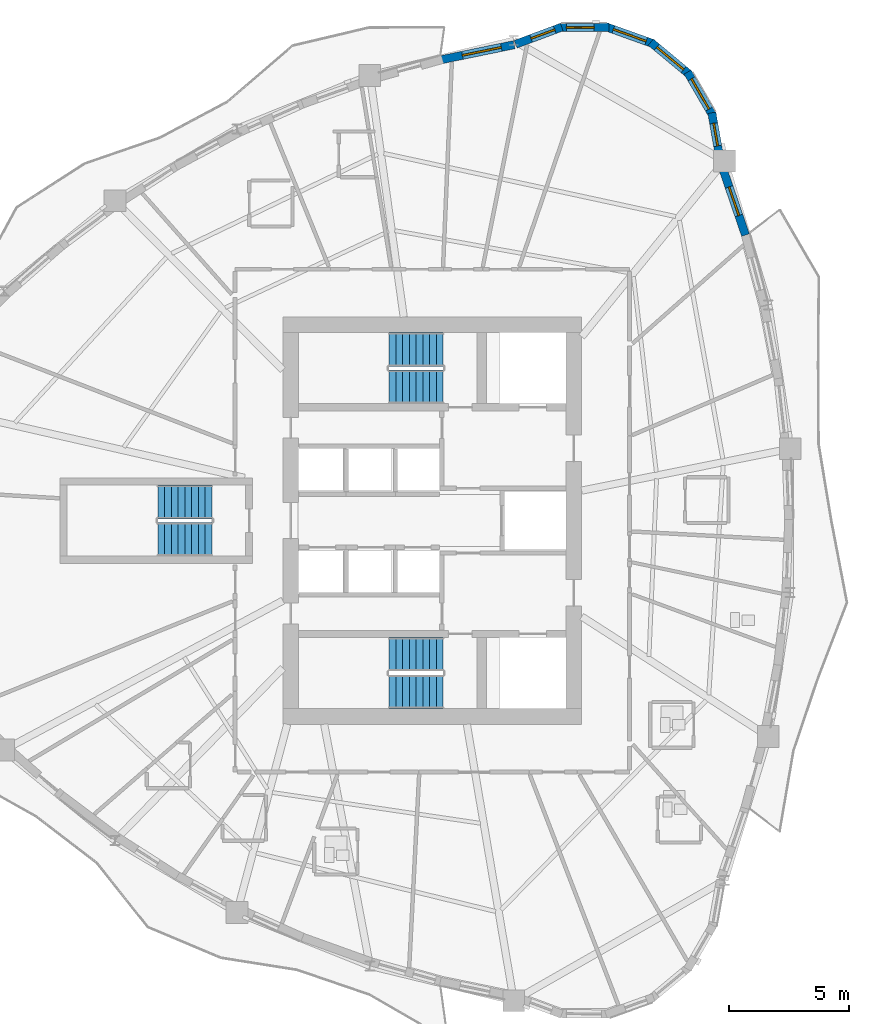
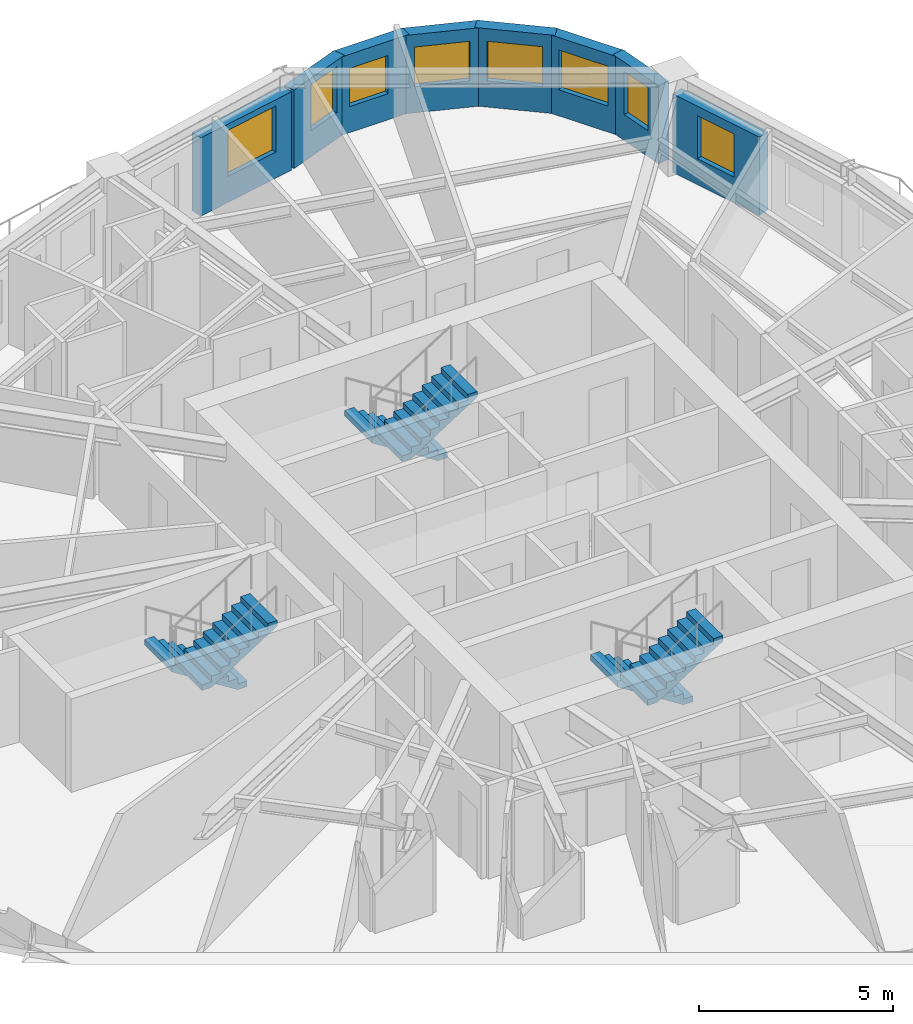
# One storey, part 9 of 13: 8 walls, 8 windows, 6 stair flights, 8 openings, 3 elements without a shape of their own.
"""IFC4 building model written with IfcOpenShell, lengths in metres."""

from ifc_helpers import new_model, si_unit, direction, frame, frame_2d, origin, place, context, subcontext, project, spatial, polyline, rectangle, outline, extrude, source, transform, mapped, material, layer, layer_set, type_object, element, fill, aggregate, save


model = new_model("IFC4")

# Units and contexts
model_context = context("Model", 3, precision=1e-05, world=origin(), true_north=direction((0.0, 1.0)))
body_context = subcontext(model_context, "Body", "Model", "MODEL_VIEW")
ifc_project = project(units=[si_unit("LENGTHUNIT", "METRE"), si_unit("AREAUNIT", "SQUARE_METRE"), si_unit("VOLUMEUNIT", "CUBIC_METRE"), si_unit("PLANEANGLEUNIT", "RADIAN"), si_unit("MASSUNIT", "GRAM", prefix="KILO")], contexts=[model_context])

# Site, building, storey
site_placement = place(None, origin())
site = spatial("IfcSite", under=ifc_project, at=site_placement, CompositionType="ELEMENT")
building_placement = place(site_placement, origin())
building = spatial("IfcBuilding", under=site, at=building_placement, Name="Qafzar Sky-Pleat Residences", CompositionType="ELEMENT")
storey_placement = place(building_placement, frame((0.0, 0.0, 105.60009765625)))
storey = spatial("IfcBuildingStorey", under=building, at=storey_placement, Name="L31", CompositionType="ELEMENT", Elevation=105.60009765625)

# Wall, opening, window
ifc_material_1 = material(Name="Precast concrete C40/50 with honed Riyadh limestone", Category="concrete")
ifc_layer = layer(ifc_material_1, 0.340087890625)
ifc_layer_set = layer_set([ifc_layer], Name="Precast concrete C40/50 with honed Riyadh limestone")
wall_type = type_object("IfcWallType", Name="WALL-EXT-340", PredefinedType="SOLIDWALL", material=ifc_layer_set)
wall_1_placement = place(storey_placement, frame((43.349609375, 37.84765625, 0.0), z_axis=(0.0, 0.0, 1.0), x_axis=(-0.323561473353, 0.946207151189, 0.0)))
wall_1 = element("IfcWall", 1, at=wall_1_placement, inside=storey, type_object=wall_type, Name="L31 Limestone Facade Wall 32", PredefinedType="SOLIDWALL", context=body_context, shape_type="SweptSolid", body=[
    extrude(rectangle(XDim=2.96240234375, YDim=0.340087890625, at=frame_2d((1.481201171875, 0.0))), origin(), (0.0, 0.0, 1.0), 2.46484375),
])
opening_1_placement = place(wall_1_placement, frame((0.861083984375, 0.0, 0.820068359375)))
opening_1 = element("IfcOpeningElement", 2, at=opening_1_placement, cuts=wall_1, Name="Opening WN-11", PredefinedType="OPENING", context=body_context, shape_type="SweptSolid", body=[
    extrude(rectangle(XDim=1.25, YDim=1.35009765625, at=frame_2d((0.625, 0.675048828125))), frame((0.0, 0.18017578125, 0.0), z_axis=(0.0, -1.0, 0.0), x_axis=(1.0, 0.0, 0.0)), (0.0, 0.0, 1.0), 0.360107421875),
])
ifc_material_2 = material(Name="Solar-control low-E glass in bronze aluminium frame", Category="glass")
window_type_1 = type_object("IfcWindowType", Name="WIN-11", PartitioningType="SINGLE_PANEL", PredefinedType="WINDOW", material=ifc_material_2)
shared_shape_1 = source(origin(), body_context, "Body", "SweptSolid", [
    extrude(rectangle(XDim=1.25, YDim=1.35009765625, at=frame_2d((0.625, 0.675048828125))), frame((0.0, 0.030029296875, 0.0), z_axis=(0.0, -1.0, 0.0), x_axis=(1.0, 0.0, 0.0)), (0.0, 0.0, 1.0), 0.06005859375),
])
window_1_placement = place(opening_1_placement, origin())
window_1 = element("IfcWindow", 3, at=window_1_placement, inside=storey, type_object=window_type_1, Name="L31 Punched Facade Window 32", OverallHeight=1.35009765625, OverallWidth=1.25, PartitioningType="SINGLE_PANEL", PredefinedType="WINDOW", context=body_context, shape_type="MappedRepresentation", body=[
    mapped(shared_shape_1, transform((0.0, 0.0, 0.0), x_axis=(1.0, 0.0, 0.0), y_axis=(0.0, 1.0, 0.0), z_axis=(0.0, 0.0, 1.0), scale=1.0)),
])
fill(opening_1, window_1)

wall_2_placement = place(storey_placement, frame((42.27001953125, 41.1201171875, 0.0), z_axis=(0.0, 0.0, 1.0), x_axis=(-0.17440141227, 0.984674640375, 0.0)))
wall_2 = element("IfcWall", 4, at=wall_2_placement, inside=storey, type_object=wall_type, Name="L31 Limestone Facade Wall 33", PredefinedType="SOLIDWALL", context=body_context, shape_type="SweptSolid", body=[
    extrude(rectangle(XDim=1.8310546875, YDim=0.340087890625, at=frame_2d((0.91552734375, 0.0))), origin(), (0.0, 0.0, 1.0), 2.46484375),
])
opening_2_placement = place(wall_2_placement, frame((0.435546875, 0.0, 0.820068359375)))
opening_2 = element("IfcOpeningElement", 5, at=opening_2_placement, cuts=wall_2, Name="Opening WN-12", PredefinedType="OPENING", context=body_context, shape_type="SweptSolid", body=[
    extrude(rectangle(XDim=0.949951171875, YDim=1.35009765625, at=frame_2d((0.47509765625, 0.675048828125))), frame((0.0, 0.18017578125, 0.0), z_axis=(0.0, -1.0, 0.0), x_axis=(1.0, 0.0, 0.0)), (0.0, 0.0, 1.0), 0.360107421875),
])
window_type_2 = type_object("IfcWindowType", Name="WIN-12", PartitioningType="SINGLE_PANEL", PredefinedType="WINDOW", material=ifc_material_2)
shared_shape_2 = source(origin(), body_context, "Body", "SweptSolid", [
    extrude(rectangle(XDim=0.949951171875, YDim=1.35009765625, at=frame_2d((0.47509765625, 0.675048828125))), frame((0.0, 0.030029296875, 0.0), z_axis=(0.0, -1.0, 0.0), x_axis=(1.0, 0.0, 0.0)), (0.0, 0.0, 1.0), 0.06005859375),
])
window_2_placement = place(opening_2_placement, origin())
window_2 = element("IfcWindow", 6, at=window_2_placement, inside=storey, type_object=window_type_2, Name="L31 Punched Facade Window 33", OverallHeight=1.35009765625, OverallWidth=0.949951171875, PartitioningType="SINGLE_PANEL", PredefinedType="WINDOW", context=body_context, shape_type="MappedRepresentation", body=[
    mapped(shared_shape_2, transform((0.0, 0.0, 0.0), x_axis=(1.0, 0.0, 0.0), y_axis=(0.0, 1.0, 0.0), z_axis=(0.0, 0.0, 1.0), scale=1.0)),
])
fill(opening_2, window_2)

wall_3_placement = place(storey_placement, frame((41.99658203125, 42.797119140625, 0.0), z_axis=(0.0, 0.0, 1.0), x_axis=(-0.501902596059, 0.864924149315, 0.0)))
wall_3 = element("IfcWall", 7, at=wall_3_placement, inside=storey, type_object=wall_type, Name="L31 Limestone Facade Wall 34", PredefinedType="SOLIDWALL", context=body_context, shape_type="SweptSolid", body=[
    extrude(rectangle(XDim=2.098876953125, YDim=0.340087890625, at=frame_2d((1.04931640625, 0.0))), origin(), (0.0, 0.0, 1.0), 2.46484375),
])
opening_3_placement = place(wall_3_placement, frame((0.324462890625, 0.0, 0.820068359375)))
opening_3 = element("IfcOpeningElement", 8, at=opening_3_placement, cuts=wall_3, Name="Opening WN-15", PredefinedType="OPENING", context=body_context, shape_type="SweptSolid", body=[
    extrude(rectangle(XDim=1.449951171875, YDim=1.25, at=frame_2d((0.72509765625, 0.625))), frame((0.0, 0.18017578125, 0.0), z_axis=(0.0, -1.0, 0.0), x_axis=(1.0, 0.0, 0.0)), (0.0, 0.0, 1.0), 0.360107421875),
])
window_type_3 = type_object("IfcWindowType", Name="WIN-15", PartitioningType="SINGLE_PANEL", PredefinedType="WINDOW", material=ifc_material_2)
shared_shape_3 = source(origin(), body_context, "Body", "SweptSolid", [
    extrude(rectangle(XDim=1.449951171875, YDim=1.25, at=frame_2d((0.72509765625, 0.625))), frame((0.0, 0.030029296875, 0.0), z_axis=(0.0, -1.0, 0.0), x_axis=(1.0, 0.0, 0.0)), (0.0, 0.0, 1.0), 0.06005859375),
])
window_3_placement = place(opening_3_placement, origin())
window_3 = element("IfcWindow", 9, at=window_3_placement, inside=storey, type_object=window_type_3, Name="L31 Punched Facade Window 34", OverallHeight=1.25, OverallWidth=1.449951171875, PartitioningType="SINGLE_PANEL", PredefinedType="WINDOW", context=body_context, shape_type="MappedRepresentation", body=[
    mapped(shared_shape_3, transform((0.0, 0.0, 0.0), x_axis=(1.0, 0.0, 0.0), y_axis=(0.0, 1.0, 0.0), z_axis=(0.0, 0.0, 1.0), scale=1.0)),
])
fill(opening_3, window_3)

wall_4_placement = place(storey_placement, frame((41.029541015625, 44.510009765625, 0.0), z_axis=(0.0, 0.0, 1.0), x_axis=(-0.768497696041, 0.639852554249, 0.0)))
wall_4 = element("IfcWall", 10, at=wall_4_placement, inside=storey, type_object=wall_type, Name="L31 Limestone Facade Wall 35", PredefinedType="SOLIDWALL", context=body_context, shape_type="SweptSolid", body=[
    extrude(rectangle(XDim=2.098876953125, YDim=0.340087890625, at=frame_2d((1.04931640625, 0.0))), origin(), (0.0, 0.0, 1.0), 2.46484375),
])
opening_4_placement = place(wall_4_placement, frame((0.324462890625, 0.0, 0.820068359375)))
opening_4 = element("IfcOpeningElement", 11, at=opening_4_placement, cuts=wall_4, Name="Opening WN-15", PredefinedType="OPENING", context=body_context, shape_type="SweptSolid", body=[
    extrude(rectangle(XDim=1.449951171875, YDim=1.25, at=frame_2d((0.72509765625, 0.625))), frame((0.0, 0.18017578125, 0.0), z_axis=(0.0, -1.0, 0.0), x_axis=(1.0, 0.0, 0.0)), (0.0, 0.0, 1.0), 0.360107421875),
])
window_4_placement = place(opening_4_placement, origin())
window_4 = element("IfcWindow", 12, at=window_4_placement, inside=storey, type_object=window_type_3, Name="L31 Punched Facade Window 35", OverallHeight=1.25, OverallWidth=1.449951171875, PartitioningType="SINGLE_PANEL", PredefinedType="WINDOW", context=body_context, shape_type="MappedRepresentation", body=[
    mapped(shared_shape_3, transform((0.0, 0.0, 0.0), x_axis=(1.0, 0.0, 0.0), y_axis=(0.0, 1.0, 0.0), z_axis=(0.0, 0.0, 1.0), scale=1.0)),
])
fill(opening_4, window_4)

wall_5_placement = place(storey_placement, frame((39.533203125, 45.78662109375, 0.0), z_axis=(0.0, 0.0, 1.0), x_axis=(-0.941523304278, 0.336947870598, 0.0)))
wall_5 = element("IfcWall", 13, at=wall_5_placement, inside=storey, type_object=wall_type, Name="L31 Limestone Facade Wall 36", PredefinedType="SOLIDWALL", context=body_context, shape_type="SweptSolid", body=[
    extrude(rectangle(XDim=2.09912109375, YDim=0.340087890625, at=frame_2d((1.049560546875, 0.0))), origin(), (0.0, 0.0, 1.0), 2.46484375),
])
opening_5_placement = place(wall_5_placement, frame((0.324462890625, 0.0, 0.820068359375)))
opening_5 = element("IfcOpeningElement", 14, at=opening_5_placement, cuts=wall_5, Name="Opening WN-15", PredefinedType="OPENING", context=body_context, shape_type="SweptSolid", body=[
    extrude(rectangle(XDim=1.449951171875, YDim=1.25, at=frame_2d((0.72509765625, 0.625))), frame((0.0, 0.18017578125, 0.0), z_axis=(0.0, -1.0, 0.0), x_axis=(1.0, 0.0, 0.0)), (0.0, 0.0, 1.0), 0.360107421875),
])
window_5_placement = place(opening_5_placement, origin())
window_5 = element("IfcWindow", 15, at=window_5_placement, inside=storey, type_object=window_type_3, Name="L31 Punched Facade Window 36", OverallHeight=1.25, OverallWidth=1.449951171875, PartitioningType="SINGLE_PANEL", PredefinedType="WINDOW", context=body_context, shape_type="MappedRepresentation", body=[
    mapped(shared_shape_3, transform((0.0, 0.0, 0.0), x_axis=(1.0, 0.0, 0.0), y_axis=(0.0, 1.0, 0.0), z_axis=(0.0, 0.0, 1.0), scale=1.0)),
])
fill(opening_5, window_5)

wall_6_placement = place(storey_placement, frame((37.689208984375, 46.471435546875, 0.0), z_axis=(0.0, 0.0, 1.0), x_axis=(-0.999976456891, -0.00686189939, 0.0)))
wall_6 = element("IfcWall", 16, at=wall_6_placement, inside=storey, type_object=wall_type, Name="L31 Limestone Facade Wall 37", PredefinedType="SOLIDWALL", context=body_context, shape_type="SweptSolid", body=[
    extrude(rectangle(XDim=2.09912109375, YDim=0.340087890625, at=frame_2d((1.049560546875, 0.0))), origin(), (0.0, 0.0, 1.0), 2.46484375),
])
opening_6_placement = place(wall_6_placement, frame((0.626708984375, 0.0, 0.820068359375)))
opening_6 = element("IfcOpeningElement", 17, at=opening_6_placement, cuts=wall_6, Name="Opening WN-16", PredefinedType="OPENING", context=body_context, shape_type="SweptSolid", body=[
    extrude(rectangle(XDim=1.14990234375, YDim=1.199951171875, at=frame_2d((0.574951171875, 0.60009765625))), frame((0.0, 0.18017578125, 0.0), z_axis=(0.0, -1.0, 0.0), x_axis=(1.0, 0.0, 0.0)), (0.0, 0.0, 1.0), 0.360107421875),
])
window_type_4 = type_object("IfcWindowType", Name="WIN-16", PartitioningType="SINGLE_PANEL", PredefinedType="WINDOW", material=ifc_material_2)
shared_shape_4 = source(origin(), body_context, "Body", "SweptSolid", [
    extrude(rectangle(XDim=1.14990234375, YDim=1.199951171875, at=frame_2d((0.574951171875, 0.60009765625))), frame((0.0, 0.030029296875, 0.0), z_axis=(0.0, -1.0, 0.0), x_axis=(1.0, 0.0, 0.0)), (0.0, 0.0, 1.0), 0.06005859375),
])
window_6_placement = place(opening_6_placement, origin())
window_6 = element("IfcWindow", 18, at=window_6_placement, inside=storey, type_object=window_type_4, Name="L31 Punched Facade Window 37", OverallHeight=1.199951171875, OverallWidth=1.14990234375, PartitioningType="SINGLE_PANEL", PredefinedType="WINDOW", context=body_context, shape_type="MappedRepresentation", body=[
    mapped(shared_shape_4, transform((0.0, 0.0, 0.0), x_axis=(1.0, 0.0, 0.0), y_axis=(0.0, 1.0, 0.0), z_axis=(0.0, 0.0, 1.0), scale=1.0)),
])
fill(opening_6, window_6)

wall_7_placement = place(storey_placement, frame((35.72216796875, 46.4814453125, 0.0), z_axis=(0.0, 0.0, 1.0), x_axis=(-0.9368002254, -0.349864741994, 0.0)))
wall_7 = element("IfcWall", 19, at=wall_7_placement, inside=storey, type_object=wall_type, Name="L31 Limestone Facade Wall 38", PredefinedType="SOLIDWALL", context=body_context, shape_type="SweptSolid", body=[
    extrude(rectangle(XDim=2.041015625, YDim=0.340087890625, at=frame_2d((1.0205078125, 0.0))), origin(), (0.0, 0.0, 1.0), 2.46484375),
])
opening_7_placement = place(wall_7_placement, frame((0.30908203125, 0.0, 0.820068359375)))
opening_7 = element("IfcOpeningElement", 20, at=opening_7_placement, cuts=wall_7, Name="Opening WN-06", PredefinedType="OPENING", context=body_context, shape_type="SweptSolid", body=[
    extrude(rectangle(XDim=1.050048828125, YDim=1.449951171875, at=frame_2d((0.52490234375, 0.72509765625))), frame((0.0, 0.18017578125, 0.0), z_axis=(0.0, -1.0, 0.0), x_axis=(1.0, 0.0, 0.0)), (0.0, 0.0, 1.0), 0.360107421875),
])
window_type_5 = type_object("IfcWindowType", Name="WIN-06", PartitioningType="SINGLE_PANEL", PredefinedType="WINDOW", material=ifc_material_2)
shared_shape_5 = source(origin(), body_context, "Body", "SweptSolid", [
    extrude(rectangle(XDim=1.050048828125, YDim=1.449951171875, at=frame_2d((0.52490234375, 0.72509765625))), frame((0.0, 0.030029296875, 0.0), z_axis=(0.0, -1.0, 0.0), x_axis=(1.0, 0.0, 0.0)), (0.0, 0.0, 1.0), 0.06005859375),
])
window_7_placement = place(opening_7_placement, origin())
window_7 = element("IfcWindow", 21, at=window_7_placement, inside=storey, type_object=window_type_5, Name="L31 Punched Facade Window 38", OverallHeight=1.449951171875, OverallWidth=1.050048828125, PartitioningType="SINGLE_PANEL", PredefinedType="WINDOW", context=body_context, shape_type="MappedRepresentation", body=[
    mapped(shared_shape_5, transform((0.0, 0.0, 0.0), x_axis=(1.0, 0.0, 0.0), y_axis=(0.0, 1.0, 0.0), z_axis=(0.0, 0.0, 1.0), scale=1.0)),
])
fill(opening_7, window_7)

wall_8_placement = place(storey_placement, frame((33.74658203125, 45.7490234375, 0.0), z_axis=(0.0, 0.0, 1.0), x_axis=(-0.979440240026, -0.201734519153, 0.0)))
wall_8 = element("IfcWall", 22, at=wall_8_placement, inside=storey, type_object=wall_type, Name="L31 Limestone Facade Wall 39", PredefinedType="SOLIDWALL", context=body_context, shape_type="SweptSolid", body=[
    extrude(rectangle(XDim=3.12353515625, YDim=0.340087890625, at=frame_2d((1.561767578125, 0.0))), origin(), (0.0, 0.0, 1.0), 2.46484375),
])
opening_8_placement = place(wall_8_placement, frame((0.541259765625, 0.0, 0.820068359375)))
opening_8 = element("IfcOpeningElement", 23, at=opening_8_placement, cuts=wall_8, Name="Opening WN-02", PredefinedType="OPENING", context=body_context, shape_type="SweptSolid", body=[
    extrude(rectangle(XDim=1.64990234375, YDim=1.449951171875, at=frame_2d((0.824951171875, 0.72509765625))), frame((0.0, 0.18017578125, 0.0), z_axis=(0.0, -1.0, 0.0), x_axis=(1.0, 0.0, 0.0)), (0.0, 0.0, 1.0), 0.360107421875),
])
window_type_6 = type_object("IfcWindowType", Name="WIN-02", PartitioningType="DOUBLE_PANEL_VERTICAL", PredefinedType="WINDOW", material=ifc_material_2)
shared_shape_6 = source(origin(), body_context, "Body", "SweptSolid", [
    extrude(rectangle(XDim=1.64990234375, YDim=1.449951171875, at=frame_2d((0.824951171875, 0.72509765625))), frame((0.0, 0.030029296875, 0.0), z_axis=(0.0, -1.0, 0.0), x_axis=(1.0, 0.0, 0.0)), (0.0, 0.0, 1.0), 0.06005859375),
])
window_8_placement = place(opening_8_placement, origin())
window_8 = element("IfcWindow", 24, at=window_8_placement, inside=storey, type_object=window_type_6, Name="L31 Punched Facade Window 39", OverallHeight=1.449951171875, OverallWidth=1.64990234375, PartitioningType="SINGLE_PANEL", PredefinedType="WINDOW", context=body_context, shape_type="MappedRepresentation", body=[
    mapped(shared_shape_6, transform((0.0, 0.0, 0.0), x_axis=(1.0, 0.0, 0.0), y_axis=(0.0, 1.0, 0.0), z_axis=(0.0, 0.0, 1.0), scale=1.0)),
])
fill(opening_8, window_8)

# Stair, stair flights
ifc_material_3 = material(Name="Concrete C40/50", Category="concrete")
stair_type = type_object("IfcStairType", Name="STAIR-H320", PredefinedType="HALF_TURN_STAIR", material=ifc_material_3)
stair_1_placement = place(storey_placement, origin())
stair_1 = element("IfcStair", 25, at=stair_1_placement, inside=storey, type_object=stair_type, Name="L31 Protected Exit Stair ST1", PredefinedType="HALF_TURN_STAIR")
stair_flight_type = type_object("IfcStairFlightType", Name="FLIGHT-H320", PredefinedType="STRAIGHT", material=ifc_material_3)
shared_shape_7 = source(origin(), body_context, "Body", "SweptSolid", [
    extrude(outline(polyline([(0.0, 0.0), (0.0, 0.177734375), (0.280029296875, 0.177734375), (0.280029296875, 0.35546875), (0.56005859375, 0.35546875), (0.56005859375, 0.533447265625), (0.840087890625, 0.533447265625), (0.840087890625, 0.711181640625), (1.1201171875, 0.711181640625), (1.1201171875, 0.888916015625), (1.39990234375, 0.888916015625), (1.39990234375, 1.066650390625), (1.679931640625, 1.066650390625), (1.679931640625, 1.244384765625), (1.9599609375, 1.244384765625), (1.9599609375, 1.422119140625), (2.239990234375, 1.422119140625), (2.239990234375, 1.60009765625), (2.239990234375, 1.24462890625), (0.27978515625, 0.0), (0.0, 0.0)])), frame((0.0, 0.699951171875, 0.0), z_axis=(0.0, -1.0, 0.0), x_axis=(1.0, 0.0, 0.0)), (0.0, 0.0, 1.0), 1.39990234375),
])
stair_flight_1_placement = place(storey_placement, frame((30.800048828125, 20.449951171875, 0.0), z_axis=(0.0, 0.0, 1.0), x_axis=(-1.0, 0.0, 0.0)))
stair_flight_1 = element("IfcStairFlight", 26, at=stair_flight_1_placement, type_object=stair_flight_type, Name="ST1 flight 1", NumberOfRisers=9, NumberOfTreads=8, PredefinedType="STRAIGHT", RiserHeight=0.177777778, TreadLength=0.28, context=body_context, shape_type="MappedRepresentation", body=[
    mapped(shared_shape_7, transform((0.0, 0.0, 0.0), x_axis=(1.0, 0.0, 0.0), y_axis=(0.0, 1.0, 0.0), z_axis=(0.0, 0.0, 1.0), scale=1.0)),
])
stair_flight_2_placement = place(storey_placement, frame((28.56005859375, 18.89990234375, 1.599853515625), z_axis=(0.0, 0.0, 1.0), x_axis=(1.0, 0.0, 0.0)))
stair_flight_2 = element("IfcStairFlight", 27, at=stair_flight_2_placement, type_object=stair_flight_type, Name="ST1 flight 2", NumberOfRisers=9, NumberOfTreads=8, PredefinedType="STRAIGHT", RiserHeight=0.177777778, TreadLength=0.28, context=body_context, shape_type="MappedRepresentation", body=[
    mapped(shared_shape_7, transform((0.0, 0.0, 0.0), x_axis=(1.0, 0.0, 0.0), y_axis=(0.0, 1.0, 0.0), z_axis=(0.0, 0.0, 1.0), scale=1.0)),
])
aggregate(stair_1, [stair_flight_1, stair_flight_2])

stair_2_placement = place(storey_placement, origin())
stair_2 = element("IfcStair", 28, at=stair_2_placement, inside=storey, type_object=stair_type, Name="L31 Protected Exit Stair ST2", PredefinedType="HALF_TURN_STAIR")
stair_flight_3_placement = place(storey_placement, frame((30.800048828125, 33.10009765625, 0.0), z_axis=(0.0, 0.0, 1.0), x_axis=(-1.0, 0.0, 0.0)))
stair_flight_3 = element("IfcStairFlight", 29, at=stair_flight_3_placement, type_object=stair_flight_type, Name="ST2 flight 1", NumberOfRisers=9, NumberOfTreads=8, PredefinedType="STRAIGHT", RiserHeight=0.177777778, TreadLength=0.28, context=body_context, shape_type="MappedRepresentation", body=[
    mapped(shared_shape_7, transform((0.0, 0.0, 0.0), x_axis=(1.0, 0.0, 0.0), y_axis=(0.0, 1.0, 0.0), z_axis=(0.0, 0.0, 1.0), scale=1.0)),
])
stair_flight_4_placement = place(storey_placement, frame((28.56005859375, 31.550048828125, 1.599853515625), z_axis=(0.0, 0.0, 1.0), x_axis=(1.0, 0.0, 0.0)))
stair_flight_4 = element("IfcStairFlight", 30, at=stair_flight_4_placement, type_object=stair_flight_type, Name="ST2 flight 2", NumberOfRisers=9, NumberOfTreads=8, PredefinedType="STRAIGHT", RiserHeight=0.177777778, TreadLength=0.28, context=body_context, shape_type="MappedRepresentation", body=[
    mapped(shared_shape_7, transform((0.0, 0.0, 0.0), x_axis=(1.0, 0.0, 0.0), y_axis=(0.0, 1.0, 0.0), z_axis=(0.0, 0.0, 1.0), scale=1.0)),
])
aggregate(stair_2, [stair_flight_3, stair_flight_4])

stair_3_placement = place(storey_placement, origin())
stair_3 = element("IfcStair", 31, at=stair_3_placement, inside=storey, type_object=stair_type, Name="L31 Protected Exit Stair ST3", PredefinedType="HALF_TURN_STAIR")
stair_flight_5_placement = place(storey_placement, frame((21.199951171875, 26.77490234375, 0.0), z_axis=(0.0, 0.0, 1.0), x_axis=(-1.0, 0.0, 0.0)))
stair_flight_5 = element("IfcStairFlight", 32, at=stair_flight_5_placement, type_object=stair_flight_type, Name="ST3 flight 1", NumberOfRisers=9, NumberOfTreads=8, PredefinedType="STRAIGHT", RiserHeight=0.177777778, TreadLength=0.28, context=body_context, shape_type="MappedRepresentation", body=[
    mapped(shared_shape_7, transform((0.0, 0.0, 0.0), x_axis=(1.0, 0.0, 0.0), y_axis=(0.0, 1.0, 0.0), z_axis=(0.0, 0.0, 1.0), scale=1.0)),
])
stair_flight_6_placement = place(storey_placement, frame((18.9599609375, 25.22509765625, 1.599853515625), z_axis=(0.0, 0.0, 1.0), x_axis=(1.0, 0.0, 0.0)))
stair_flight_6 = element("IfcStairFlight", 33, at=stair_flight_6_placement, type_object=stair_flight_type, Name="ST3 flight 2", NumberOfRisers=9, NumberOfTreads=8, PredefinedType="STRAIGHT", RiserHeight=0.177777778, TreadLength=0.28, context=body_context, shape_type="MappedRepresentation", body=[
    mapped(shared_shape_7, transform((0.0, 0.0, 0.0), x_axis=(1.0, 0.0, 0.0), y_axis=(0.0, 1.0, 0.0), z_axis=(0.0, 0.0, 1.0), scale=1.0)),
])
aggregate(stair_3, [stair_flight_5, stair_flight_6])

save(model, "model.ifc")
